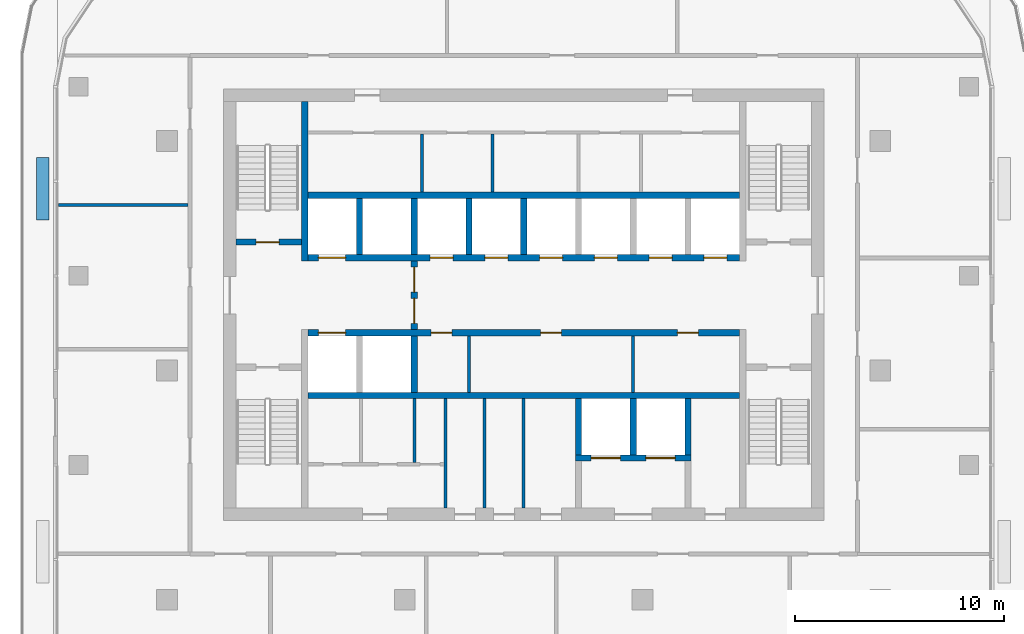
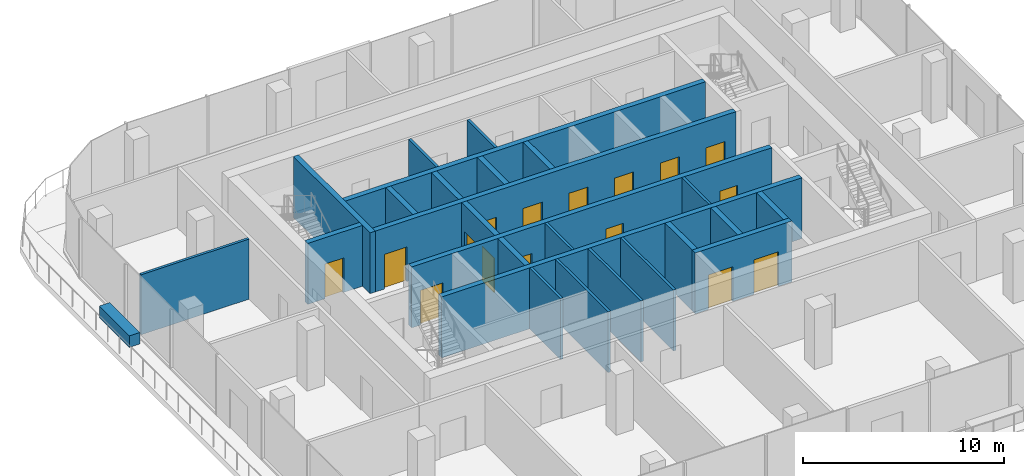
# One storey, part 7 of 12: 26 walls, 16 doors, 16 openings.
"""IFC4 building model written with IfcOpenShell, lengths in metres."""

from ifc_helpers import new_model, si_unit, direction, frame, frame_2d, origin, place, context, subcontext, project, spatial, rectangle, extrude, material, layer, layer_set, type_object, element, fill, save


model = new_model("IFC4")

# Units and contexts
model_context = context("Model", 3, precision=1e-05, world=origin(), true_north=direction((0.0, 1.0)))
body_context = subcontext(model_context, "Body", "Model", "MODEL_VIEW")
ifc_project = project(units=[si_unit("LENGTHUNIT", "METRE"), si_unit("AREAUNIT", "SQUARE_METRE"), si_unit("VOLUMEUNIT", "CUBIC_METRE"), si_unit("PLANEANGLEUNIT", "RADIAN"), si_unit("MASSUNIT", "GRAM", prefix="KILO")], contexts=[model_context])

# Site, building, storey
site_placement = place(None, origin())
site = spatial("IfcSite", under=ifc_project, at=site_placement, CompositionType="ELEMENT")
building_placement = place(site_placement, origin())
building = spatial("IfcBuilding", under=site, at=building_placement, Name="Mopane Tessera Tower", CompositionType="ELEMENT")
storey_placement = place(building_placement, frame((0.0, 0.0, 349.39990234375)))
storey = spatial("IfcBuildingStorey", under=building, at=storey_placement, Name="L76", CompositionType="ELEMENT", Elevation=349.39990234375)

# Walls
ifc_material_1 = material(Name="Fire-rated gypsum board partition")
ifc_layer_1 = layer(ifc_material_1, 0.14990234375)
ifc_layer_set_1 = layer_set([ifc_layer_1], Name="Fire-rated gypsum board partition")
wall_type_1 = type_object("IfcWallType", Name="Core room partition 150 mm", PredefinedType="PARTITIONING", material=ifc_layer_set_1)
wall_1_placement = place(storey_placement, frame((-5.235107421875, -4.425048828125, 0.0), z_axis=(0.0, 0.0, 1.0), x_axis=(0.0, 1.0, 0.0)))
element("IfcWall", 1, at=wall_1_placement, inside=storey, type_object=wall_type_1, Name="L76 WC partition", PredefinedType="PARTITIONING", context=body_context, shape_type="SweptSolid", body=[
    extrude(rectangle(XDim=3.074951171875, YDim=0.14990234375, at=frame_2d((1.53759765625, 0.0))), origin(), (0.0, 0.0, 1.0), 3.7001953125),
])
for number, where, z_axis, x_axis, name in (
    (2, (-3.75, -6.60009765625, 0.0), (0.0, 0.0, 1.0), (0.0, 1.0, 0.0), "L76 Room partition"),
    (3, (-1.875, -6.60009765625, 0.0), (0.0, 0.0, 1.0), (0.0, 1.0, 0.0), "L76 Room partition"),
    (4, (0.0, -6.60009765625, 0.0), (0.0, 0.0, 1.0), (0.0, 1.0, 0.0), "L76 Room partition"),
):
    element("IfcWall", number, at=place(storey_placement, frame(where, z_axis=z_axis, x_axis=x_axis)), inside=storey, type_object=wall_type_1, Name=name, PredefinedType="PARTITIONING", context=body_context, shape_type="SweptSolid", body=[
        extrude(rectangle(XDim=5.25, YDim=0.14990234375, at=frame_2d((2.625, 0.0))), origin(), (0.0, 0.0, 1.0), 3.7001953125),
    ])
for number, where, z_axis, x_axis, name in (
    (5, (-4.875, 8.550048828125, 0.0), (0.0, 0.0, 1.0), (0.0, 1.0, 0.0), "L76 Room partition"),
    (6, (-1.5, 8.550048828125, 0.0), (0.0, 0.0, 1.0), (0.0, 1.0, 0.0), "L76 Room partition"),
):
    element("IfcWall", number, at=place(storey_placement, frame(where, z_axis=z_axis, x_axis=x_axis)), inside=storey, type_object=wall_type_1, Name=name, PredefinedType="PARTITIONING", context=body_context, shape_type="SweptSolid", body=[
        extrude(rectangle(XDim=2.77490234375, YDim=0.14990234375, at=frame_2d((1.387451171875, 0.0))), origin(), (0.0, 0.0, 1.0), 3.7001953125),
    ])
for number, where, z_axis, x_axis, name in (
    (7, (-2.625, -1.050048828125, 0.0), (0.0, 0.0, 1.0), (0.0, 1.0, 0.0), "L76 Room partition"),
    (8, (5.25, -1.050048828125, 0.0), (0.0, 0.0, 1.0), (0.0, 1.0, 0.0), "L76 Room partition"),
):
    element("IfcWall", number, at=place(storey_placement, frame(where, z_axis=z_axis, x_axis=x_axis)), inside=storey, type_object=wall_type_1, Name=name, PredefinedType="PARTITIONING", context=body_context, shape_type="SweptSolid", body=[
        extrude(rectangle(XDim=2.699951171875, YDim=0.14990234375, at=frame_2d((1.35009765625, 0.0))), origin(), (0.0, 0.0, 1.0), 3.7001953125),
    ])
ifc_material_2 = material(Name="Concrete C60/75", Category="concrete")
ifc_layer_2 = layer(ifc_material_2, 0.300048828125)
ifc_layer_set_2 = layer_set([ifc_layer_2], Name="Concrete C60/75")
wall_type_2 = type_object("IfcWallType", Name="Core spine wall 300 mm", PredefinedType="SHEAR", material=ifc_layer_set_2)
wall_2_placement = place(storey_placement, frame((-10.5, 5.25, 0.0), z_axis=(0.0, 0.0, 1.0), x_axis=(0.0, 1.0, 0.0)))
element("IfcWall", 9, at=wall_2_placement, inside=storey, type_object=wall_type_2, Name="L76 Core spine wall", PredefinedType="SHEAR", context=body_context, shape_type="SweptSolid", body=[
    extrude(rectangle(XDim=7.64990234375, YDim=0.300048828125, at=frame_2d((3.824951171875, 0.0))), origin(), (0.0, 0.0, 1.0), 3.7001953125),
])
ifc_material_3 = material(Name="Gypsum board on steel studs, mineral wool infill", Category="steel")
ifc_layer_3 = layer(ifc_material_3, 0.14990234375)
ifc_layer_set_3 = layer_set([ifc_layer_3], Name="Gypsum board on steel studs, mineral wool infill")
wall_type_3 = type_object("IfcWallType", Name="Gypsum board partition 150, rated EI 60", PredefinedType="PARTITIONING", material=ifc_layer_set_3)
wall_3_placement = place(storey_placement, frame((-22.300048828125, 7.929931640625, 0.0), z_axis=(0.0, 0.0, 1.0), x_axis=(1.0, 0.0, 0.0)))
element("IfcWall", 10, at=wall_3_placement, inside=storey, type_object=wall_type_3, Name="Partition L76:006", PredefinedType="PARTITIONING", context=body_context, shape_type="SweptSolid", body=[
    extrude(rectangle(XDim=6.199951171875, YDim=0.14990234375, at=frame_2d((3.10009765625, 0.0))), origin(), (0.0, 0.0, 1.0), 3.650146484375),
])

# Wall, opening, door
ifc_material_4 = material(Name="Concrete C50/60", Category="concrete")
ifc_layer_4 = layer(ifc_material_4, 0.300048828125)
ifc_layer_set_4 = layer_set([ifc_layer_4], Name="Concrete C50/60")
wall_type_4 = type_object("IfcWallType", Name="Lift and stair shaft wall 300 mm", PredefinedType="SOLIDWALL", material=ifc_layer_set_4)
wall_4_placement = place(storey_placement, frame((-13.800048828125, 6.14990234375, 0.0), z_axis=(0.0, 0.0, 1.0), x_axis=(1.0, 0.0, 0.0)))
wall_4 = element("IfcWall", 11, at=wall_4_placement, inside=storey, type_object=wall_type_4, Name="L76 Stair enclosure wall", PredefinedType="SOLIDWALL", context=body_context, shape_type="SweptSolid", body=[
    extrude(rectangle(XDim=3.150146484375, YDim=0.300048828125, at=frame_2d((1.5751953125, 0.0))), origin(), (0.0, 0.0, 1.0), 3.7001953125),
])
opening_1_placement = place(wall_4_placement, frame((0.97509765625, 0.0, 0.0)))
opening_1 = element("IfcOpeningElement", 12, at=opening_1_placement, cuts=wall_4, Name="Opening SD1", PredefinedType="OPENING", context=body_context, shape_type="SweptSolid", body=[
    extrude(rectangle(XDim=1.10009765625, YDim=2.10009765625, at=frame_2d((0.550048828125, 1.050048828125))), frame((0.0, 0.162109375, 0.0), z_axis=(0.0, -1.0, 0.0), x_axis=(1.0, 0.0, 0.0)), (0.0, 0.0, 1.0), 0.323974609375),
])
ifc_material_5 = material(Name="Steel fire door", Category="steel")
door_type_1 = type_object("IfcDoorType", Name="Stair fire door 1100 x 2100", OperationType="SINGLE_SWING_LEFT", PredefinedType="DOOR", material=ifc_material_5)
door_1_placement = place(opening_1_placement, origin())
door_1 = element("IfcDoor", 13, at=door_1_placement, inside=storey, type_object=door_type_1, Name="L76 Stair door ST2", OperationType="SINGLE_SWING_LEFT", OverallHeight=2.10009765625, OverallWidth=1.10009765625, PredefinedType="DOOR", context=body_context, shape_type="SweptSolid", body=[
    extrude(rectangle(XDim=1.10009765625, YDim=2.10009765625, at=frame_2d((0.550048828125, 1.050048828125))), frame((0.0, 0.02490234375, 0.0), z_axis=(0.0, -1.0, 0.0), x_axis=(1.0, 0.0, 0.0)), (0.0, 0.0, 1.0), 0.050048828125),
])
fill(opening_1, door_1)

# Wall
wall_5_placement = place(storey_placement, frame((-10.35009765625, -1.199951171875, 0.0), z_axis=(0.0, 0.0, 1.0), x_axis=(1.0, 0.0, 0.0)))
element("IfcWall", 14, at=wall_5_placement, inside=storey, type_object=wall_type_4, Name="L76 Lift shaft rear wall", PredefinedType="SOLIDWALL", context=body_context, shape_type="SweptSolid", body=[
    extrude(rectangle(XDim=20.7001953125, YDim=0.300048828125, at=frame_2d((10.35009765625, 0.0))), origin(), (0.0, 0.0, 1.0), 3.7001953125),
])

# Wall, openings, doors
wall_6_placement = place(storey_placement, frame((-10.35009765625, 1.800048828125, 0.0), z_axis=(0.0, 0.0, 1.0), x_axis=(1.0, 0.0, 0.0)))
wall_6 = element("IfcWall", 15, at=wall_6_placement, inside=storey, type_object=wall_type_4, Name="L76 Lift shaft front wall", PredefinedType="SOLIDWALL", context=body_context, shape_type="SweptSolid", body=[
    extrude(rectangle(XDim=20.7001953125, YDim=0.300048828125, at=frame_2d((10.35009765625, 0.0))), origin(), (0.0, 0.0, 1.0), 3.7001953125),
])
opening_2_placement = place(wall_6_placement, frame((0.512451171875, 0.0, 0.0)))
opening_2 = element("IfcOpeningElement", 16, at=opening_2_placement, cuts=wall_6, Name="Opening LD2", PredefinedType="OPENING", context=body_context, shape_type="SweptSolid", body=[
    extrude(rectangle(XDim=1.300048828125, YDim=2.10009765625, at=frame_2d((0.64990234375, 1.050048828125))), frame((0.0, 0.162109375, 0.0), z_axis=(0.0, -1.0, 0.0), x_axis=(1.0, 0.0, 0.0)), (0.0, 0.0, 1.0), 0.323974609375),
])
opening_3_placement = place(wall_6_placement, frame((5.91259765625, 0.0, 0.0)))
opening_3 = element("IfcOpeningElement", 17, at=opening_3_placement, cuts=wall_6, Name="Opening RD1", PredefinedType="OPENING", context=body_context, shape_type="SweptSolid", body=[
    extrude(rectangle(XDim=1.0, YDim=2.10009765625, at=frame_2d((0.5, 1.050048828125))), frame((0.0, 0.162109375, 0.0), z_axis=(0.0, -1.0, 0.0), x_axis=(1.0, 0.0, 0.0)), (0.0, 0.0, 1.0), 0.323974609375),
])
opening_4_placement = place(wall_6_placement, frame((11.16259765625, 0.0, 0.0)))
opening_4 = element("IfcOpeningElement", 18, at=opening_4_placement, cuts=wall_6, Name="Opening RD1", PredefinedType="OPENING", context=body_context, shape_type="SweptSolid", body=[
    extrude(rectangle(XDim=1.0, YDim=2.10009765625, at=frame_2d((0.5, 1.050048828125))), frame((0.0, 0.162109375, 0.0), z_axis=(0.0, -1.0, 0.0), x_axis=(1.0, 0.0, 0.0)), (0.0, 0.0, 1.0), 0.323974609375),
])
opening_5_placement = place(wall_6_placement, frame((17.72509765625, 0.0, 0.0)))
opening_5 = element("IfcOpeningElement", 19, at=opening_5_placement, cuts=wall_6, Name="Opening RD1", PredefinedType="OPENING", context=body_context, shape_type="SweptSolid", body=[
    extrude(rectangle(XDim=1.0, YDim=2.10009765625, at=frame_2d((0.5, 1.050048828125))), frame((0.0, 0.162109375, 0.0), z_axis=(0.0, -1.0, 0.0), x_axis=(1.0, 0.0, 0.0)), (0.0, 0.0, 1.0), 0.323974609375),
])
ifc_material_6 = material(Name="Timber door", Category="wood")
door_type_2 = type_object("IfcDoorType", Name="Core room door 1000 x 2100", OperationType="SINGLE_SWING_LEFT", PredefinedType="DOOR", material=ifc_material_6)
door_2_placement = place(opening_3_placement, origin())
door_2 = element("IfcDoor", 20, at=door_2_placement, inside=storey, type_object=door_type_2, Name="L76 Room door", OperationType="SINGLE_SWING_LEFT", OverallHeight=2.10009765625, OverallWidth=1.0, PredefinedType="DOOR", context=body_context, shape_type="SweptSolid", body=[
    extrude(rectangle(XDim=1.0, YDim=2.10009765625, at=frame_2d((0.5, 1.050048828125))), frame((0.0, 0.02490234375, 0.0), z_axis=(0.0, -1.0, 0.0), x_axis=(1.0, 0.0, 0.0)), (0.0, 0.0, 1.0), 0.050048828125),
])
fill(opening_3, door_2)
door_3_placement = place(opening_4_placement, origin())
door_3 = element("IfcDoor", 21, at=door_3_placement, inside=storey, type_object=door_type_2, Name="L76 Room door", OperationType="SINGLE_SWING_LEFT", OverallHeight=2.10009765625, OverallWidth=1.0, PredefinedType="DOOR", context=body_context, shape_type="SweptSolid", body=[
    extrude(rectangle(XDim=1.0, YDim=2.10009765625, at=frame_2d((0.5, 1.050048828125))), frame((0.0, 0.02490234375, 0.0), z_axis=(0.0, -1.0, 0.0), x_axis=(1.0, 0.0, 0.0)), (0.0, 0.0, 1.0), 0.050048828125),
])
fill(opening_4, door_3)
door_4_placement = place(opening_5_placement, origin())
door_4 = element("IfcDoor", 22, at=door_4_placement, inside=storey, type_object=door_type_2, Name="L76 Room door", OperationType="SINGLE_SWING_LEFT", OverallHeight=2.10009765625, OverallWidth=1.0, PredefinedType="DOOR", context=body_context, shape_type="SweptSolid", body=[
    extrude(rectangle(XDim=1.0, YDim=2.10009765625, at=frame_2d((0.5, 1.050048828125))), frame((0.0, 0.02490234375, 0.0), z_axis=(0.0, -1.0, 0.0), x_axis=(1.0, 0.0, 0.0)), (0.0, 0.0, 1.0), 0.050048828125),
])
fill(opening_5, door_4)
ifc_material_7 = material(Name="Stainless steel sliding door", Category="steel")
door_type_3 = type_object("IfcDoorType", Name="Fire-fighting lift landing door 1300 x 2100", OperationType="DOUBLE_DOOR_SLIDING", PredefinedType="DOOR", material=ifc_material_7)
door_5_placement = place(opening_2_placement, origin())
door_5 = element("IfcDoor", 23, at=door_5_placement, inside=storey, type_object=door_type_3, Name="L76 Lift landing door FF1", OperationType="DOUBLE_DOOR_SLIDING", OverallHeight=2.10009765625, OverallWidth=1.300048828125, PredefinedType="DOOR", context=body_context, shape_type="SweptSolid", body=[
    extrude(rectangle(XDim=1.300048828125, YDim=2.10009765625, at=frame_2d((0.64990234375, 1.050048828125))), frame((0.0, 0.02490234375, 0.0), z_axis=(0.0, -1.0, 0.0), x_axis=(1.0, 0.0, 0.0)), (0.0, 0.0, 1.0), 0.050048828125),
])
fill(opening_2, door_5)

wall_7_placement = place(storey_placement, frame((-10.35009765625, 5.39990234375, 0.0), z_axis=(0.0, 0.0, 1.0), x_axis=(1.0, 0.0, 0.0)))
wall_7 = element("IfcWall", 24, at=wall_7_placement, inside=storey, type_object=wall_type_4, Name="L76 Lift shaft front wall", PredefinedType="SOLIDWALL", context=body_context, shape_type="SweptSolid", body=[
    extrude(rectangle(XDim=20.7001953125, YDim=0.300048828125, at=frame_2d((10.35009765625, 0.0))), origin(), (0.0, 0.0, 1.0), 3.7001953125),
])
opening_6_placement = place(wall_7_placement, frame((0.512451171875, 0.0, 0.0)))
opening_6 = element("IfcOpeningElement", 25, at=opening_6_placement, cuts=wall_7, Name="Opening LD2", PredefinedType="OPENING", context=body_context, shape_type="SweptSolid", body=[
    extrude(rectangle(XDim=1.300048828125, YDim=2.10009765625, at=frame_2d((0.64990234375, 1.050048828125))), frame((0.0, 0.162109375, 0.0), z_axis=(0.0, -1.0, 0.0), x_axis=(1.0, 0.0, 0.0)), (0.0, 0.0, 1.0), 0.323974609375),
])
opening_7_placement = place(wall_7_placement, frame((5.862548828125, 0.0, 0.0)))
opening_7 = element("IfcOpeningElement", 26, at=opening_7_placement, cuts=wall_7, Name="Opening LD", PredefinedType="OPENING", context=body_context, shape_type="SweptSolid", body=[
    extrude(rectangle(XDim=1.10009765625, YDim=2.10009765625, at=frame_2d((0.550048828125, 1.050048828125))), frame((0.0, 0.162109375, 0.0), z_axis=(0.0, -1.0, 0.0), x_axis=(1.0, 0.0, 0.0)), (0.0, 0.0, 1.0), 0.323974609375),
])
opening_8_placement = place(wall_7_placement, frame((8.487548828125, 0.0, 0.0)))
opening_8 = element("IfcOpeningElement", 27, at=opening_8_placement, cuts=wall_7, Name="Opening LD", PredefinedType="OPENING", context=body_context, shape_type="SweptSolid", body=[
    extrude(rectangle(XDim=1.10009765625, YDim=2.10009765625, at=frame_2d((0.550048828125, 1.050048828125))), frame((0.0, 0.162109375, 0.0), z_axis=(0.0, -1.0, 0.0), x_axis=(1.0, 0.0, 0.0)), (0.0, 0.0, 1.0), 0.323974609375),
])
opening_9_placement = place(wall_7_placement, frame((11.112548828125, 0.0, 0.0)))
opening_9 = element("IfcOpeningElement", 28, at=opening_9_placement, cuts=wall_7, Name="Opening LD", PredefinedType="OPENING", context=body_context, shape_type="SweptSolid", body=[
    extrude(rectangle(XDim=1.10009765625, YDim=2.10009765625, at=frame_2d((0.550048828125, 1.050048828125))), frame((0.0, 0.162109375, 0.0), z_axis=(0.0, -1.0, 0.0), x_axis=(1.0, 0.0, 0.0)), (0.0, 0.0, 1.0), 0.323974609375),
])
opening_10_placement = place(wall_7_placement, frame((13.737548828125, 0.0, 0.0)))
opening_10 = element("IfcOpeningElement", 29, at=opening_10_placement, cuts=wall_7, Name="Opening LD", PredefinedType="OPENING", context=body_context, shape_type="SweptSolid", body=[
    extrude(rectangle(XDim=1.10009765625, YDim=2.10009765625, at=frame_2d((0.550048828125, 1.050048828125))), frame((0.0, 0.162109375, 0.0), z_axis=(0.0, -1.0, 0.0), x_axis=(1.0, 0.0, 0.0)), (0.0, 0.0, 1.0), 0.323974609375),
])
opening_11_placement = place(wall_7_placement, frame((16.362548828125, 0.0, 0.0)))
opening_11 = element("IfcOpeningElement", 30, at=opening_11_placement, cuts=wall_7, Name="Opening LD", PredefinedType="OPENING", context=body_context, shape_type="SweptSolid", body=[
    extrude(rectangle(XDim=1.10009765625, YDim=2.10009765625, at=frame_2d((0.550048828125, 1.050048828125))), frame((0.0, 0.162109375, 0.0), z_axis=(0.0, -1.0, 0.0), x_axis=(1.0, 0.0, 0.0)), (0.0, 0.0, 1.0), 0.323974609375),
])
opening_12_placement = place(wall_7_placement, frame((18.987548828125, 0.0, 0.0)))
opening_12 = element("IfcOpeningElement", 31, at=opening_12_placement, cuts=wall_7, Name="Opening LD", PredefinedType="OPENING", context=body_context, shape_type="SweptSolid", body=[
    extrude(rectangle(XDim=1.10009765625, YDim=2.10009765625, at=frame_2d((0.550048828125, 1.050048828125))), frame((0.0, 0.162109375, 0.0), z_axis=(0.0, -1.0, 0.0), x_axis=(1.0, 0.0, 0.0)), (0.0, 0.0, 1.0), 0.323974609375),
])
door_6_placement = place(opening_6_placement, origin())
door_6 = element("IfcDoor", 32, at=door_6_placement, inside=storey, type_object=door_type_3, Name="L76 Lift landing door FF2", OperationType="DOUBLE_DOOR_SLIDING", OverallHeight=2.10009765625, OverallWidth=1.300048828125, PredefinedType="DOOR", context=body_context, shape_type="SweptSolid", body=[
    extrude(rectangle(XDim=1.300048828125, YDim=2.10009765625, at=frame_2d((0.64990234375, 1.050048828125))), frame((0.0, 0.02490234375, 0.0), z_axis=(0.0, -1.0, 0.0), x_axis=(1.0, 0.0, 0.0)), (0.0, 0.0, 1.0), 0.050048828125),
])
fill(opening_6, door_6)
ifc_material_8 = material(Name="Stainless steel sliding door", Category="steel")
door_type_4 = type_object("IfcDoorType", Name="Lift landing door 1100 x 2100", OperationType="DOUBLE_DOOR_SLIDING", PredefinedType="DOOR", material=ifc_material_8)
door_7_placement = place(opening_7_placement, origin())
door_7 = element("IfcDoor", 33, at=door_7_placement, inside=storey, type_object=door_type_4, Name="L76 Lift landing door HR1", OperationType="DOUBLE_DOOR_SLIDING", OverallHeight=2.10009765625, OverallWidth=1.10009765625, PredefinedType="DOOR", context=body_context, shape_type="SweptSolid", body=[
    extrude(rectangle(XDim=1.10009765625, YDim=2.10009765625, at=frame_2d((0.550048828125, 1.050048828125))), frame((0.0, 0.02490234375, 0.0), z_axis=(0.0, -1.0, 0.0), x_axis=(1.0, 0.0, 0.0)), (0.0, 0.0, 1.0), 0.050048828125),
])
fill(opening_7, door_7)
door_8_placement = place(opening_8_placement, origin())
door_8 = element("IfcDoor", 34, at=door_8_placement, inside=storey, type_object=door_type_4, Name="L76 Lift landing door HR2", OperationType="DOUBLE_DOOR_SLIDING", OverallHeight=2.10009765625, OverallWidth=1.10009765625, PredefinedType="DOOR", context=body_context, shape_type="SweptSolid", body=[
    extrude(rectangle(XDim=1.10009765625, YDim=2.10009765625, at=frame_2d((0.550048828125, 1.050048828125))), frame((0.0, 0.02490234375, 0.0), z_axis=(0.0, -1.0, 0.0), x_axis=(1.0, 0.0, 0.0)), (0.0, 0.0, 1.0), 0.050048828125),
])
fill(opening_8, door_8)
door_9_placement = place(opening_9_placement, origin())
door_9 = element("IfcDoor", 35, at=door_9_placement, inside=storey, type_object=door_type_4, Name="L76 Lift landing door HR3", OperationType="DOUBLE_DOOR_SLIDING", OverallHeight=2.10009765625, OverallWidth=1.10009765625, PredefinedType="DOOR", context=body_context, shape_type="SweptSolid", body=[
    extrude(rectangle(XDim=1.10009765625, YDim=2.10009765625, at=frame_2d((0.550048828125, 1.050048828125))), frame((0.0, 0.02490234375, 0.0), z_axis=(0.0, -1.0, 0.0), x_axis=(1.0, 0.0, 0.0)), (0.0, 0.0, 1.0), 0.050048828125),
])
fill(opening_9, door_9)
door_10_placement = place(opening_10_placement, origin())
door_10 = element("IfcDoor", 36, at=door_10_placement, inside=storey, type_object=door_type_4, Name="L76 Lift landing door HR4", OperationType="DOUBLE_DOOR_SLIDING", OverallHeight=2.10009765625, OverallWidth=1.10009765625, PredefinedType="DOOR", context=body_context, shape_type="SweptSolid", body=[
    extrude(rectangle(XDim=1.10009765625, YDim=2.10009765625, at=frame_2d((0.550048828125, 1.050048828125))), frame((0.0, 0.02490234375, 0.0), z_axis=(0.0, -1.0, 0.0), x_axis=(1.0, 0.0, 0.0)), (0.0, 0.0, 1.0), 0.050048828125),
])
fill(opening_10, door_10)
door_11_placement = place(opening_11_placement, origin())
door_11 = element("IfcDoor", 37, at=door_11_placement, inside=storey, type_object=door_type_4, Name="L76 Lift landing door HR5", OperationType="DOUBLE_DOOR_SLIDING", OverallHeight=2.10009765625, OverallWidth=1.10009765625, PredefinedType="DOOR", context=body_context, shape_type="SweptSolid", body=[
    extrude(rectangle(XDim=1.10009765625, YDim=2.10009765625, at=frame_2d((0.550048828125, 1.050048828125))), frame((0.0, 0.02490234375, 0.0), z_axis=(0.0, -1.0, 0.0), x_axis=(1.0, 0.0, 0.0)), (0.0, 0.0, 1.0), 0.050048828125),
])
fill(opening_11, door_11)
door_12_placement = place(opening_12_placement, origin())
door_12 = element("IfcDoor", 38, at=door_12_placement, inside=storey, type_object=door_type_4, Name="L76 Lift landing door HR6", OperationType="DOUBLE_DOOR_SLIDING", OverallHeight=2.10009765625, OverallWidth=1.10009765625, PredefinedType="DOOR", context=body_context, shape_type="SweptSolid", body=[
    extrude(rectangle(XDim=1.10009765625, YDim=2.10009765625, at=frame_2d((0.550048828125, 1.050048828125))), frame((0.0, 0.02490234375, 0.0), z_axis=(0.0, -1.0, 0.0), x_axis=(1.0, 0.0, 0.0)), (0.0, 0.0, 1.0), 0.050048828125),
])
fill(opening_12, door_12)

# Walls
wall_8_placement = place(storey_placement, frame((-10.35009765625, 8.39990234375, 0.0), z_axis=(0.0, 0.0, 1.0), x_axis=(1.0, 0.0, 0.0)))
element("IfcWall", 39, at=wall_8_placement, inside=storey, type_object=wall_type_4, Name="L76 Lift shaft rear wall", PredefinedType="SOLIDWALL", context=body_context, shape_type="SweptSolid", body=[
    extrude(rectangle(XDim=20.7001953125, YDim=0.300048828125, at=frame_2d((10.35009765625, 0.0))), origin(), (0.0, 0.0, 1.0), 3.7001953125),
])
for number, where, z_axis, x_axis, name in (
    (40, (-5.25, -1.050048828125, 0.0), (0.0, 0.0, 1.0), (0.0, 1.0, 0.0), "L76 Lift shaft wall"),
    (41, (-7.875, 5.550048828125, 0.0), (0.0, 0.0, 1.0), (0.0, 1.0, 0.0), "L76 Lift shaft wall"),
    (42, (-5.25, 5.550048828125, 0.0), (0.0, 0.0, 1.0), (0.0, 1.0, 0.0), "L76 Lift shaft wall"),
    (43, (-2.625, 5.550048828125, 0.0), (0.0, 0.0, 1.0), (0.0, 1.0, 0.0), "L76 Lift shaft wall"),
    (44, (0.0, 5.550048828125, 0.0), (0.0, 0.0, 1.0), (0.0, 1.0, 0.0), "L76 Lift shaft wall"),
):
    element("IfcWall", number, at=place(storey_placement, frame(where, z_axis=z_axis, x_axis=x_axis)), inside=storey, type_object=wall_type_4, Name=name, PredefinedType="SOLIDWALL", context=body_context, shape_type="SweptSolid", body=[
        extrude(rectangle(XDim=2.699951171875, YDim=0.300048828125, at=frame_2d((1.35009765625, 0.0))), origin(), (0.0, 0.0, 1.0), 3.7001953125),
    ])

# Wall, openings, doors
wall_9_placement = place(storey_placement, frame((2.47509765625, -4.199951171875, 0.0), z_axis=(0.0, 0.0, 1.0), x_axis=(1.0, 0.0, 0.0)))
wall_9 = element("IfcWall", 45, at=wall_9_placement, inside=storey, type_object=wall_type_4, Name="L76 Lift shaft front wall", PredefinedType="SOLIDWALL", context=body_context, shape_type="SweptSolid", body=[
    extrude(rectangle(XDim=5.5498046875, YDim=0.300048828125, at=frame_2d((2.77490234375, 0.0))), origin(), (0.0, 0.0, 1.0), 3.7001953125),
])
opening_13_placement = place(wall_9_placement, frame((0.762451171875, 0.0, 0.0)))
opening_13 = element("IfcOpeningElement", 46, at=opening_13_placement, cuts=wall_9, Name="Opening LD3", PredefinedType="OPENING", context=body_context, shape_type="SweptSolid", body=[
    extrude(rectangle(XDim=1.39990234375, YDim=2.10009765625, at=frame_2d((0.699951171875, 1.050048828125))), frame((0.0, 0.162109375, 0.0), z_axis=(0.0, -1.0, 0.0), x_axis=(1.0, 0.0, 0.0)), (0.0, 0.0, 1.0), 0.323974609375),
])
opening_14_placement = place(wall_9_placement, frame((3.387451171875, 0.0, 0.0)))
opening_14 = element("IfcOpeningElement", 47, at=opening_14_placement, cuts=wall_9, Name="Opening LD3", PredefinedType="OPENING", context=body_context, shape_type="SweptSolid", body=[
    extrude(rectangle(XDim=1.39990234375, YDim=2.10009765625, at=frame_2d((0.699951171875, 1.050048828125))), frame((0.0, 0.162109375, 0.0), z_axis=(0.0, -1.0, 0.0), x_axis=(1.0, 0.0, 0.0)), (0.0, 0.0, 1.0), 0.323974609375),
])
ifc_material_9 = material(Name="Stainless steel sliding door", Category="steel")
door_type_5 = type_object("IfcDoorType", Name="Service lift landing door 1400 x 2100", OperationType="DOUBLE_DOOR_SLIDING", PredefinedType="DOOR", material=ifc_material_9)
door_13_placement = place(opening_13_placement, origin())
door_13 = element("IfcDoor", 48, at=door_13_placement, inside=storey, type_object=door_type_5, Name="L76 Lift landing door SV1", OperationType="DOUBLE_DOOR_SLIDING", OverallHeight=2.10009765625, OverallWidth=1.39990234375, PredefinedType="DOOR", context=body_context, shape_type="SweptSolid", body=[
    extrude(rectangle(XDim=1.39990234375, YDim=2.10009765625, at=frame_2d((0.699951171875, 1.050048828125))), frame((0.0, 0.02490234375, 0.0), z_axis=(0.0, -1.0, 0.0), x_axis=(1.0, 0.0, 0.0)), (0.0, 0.0, 1.0), 0.050048828125),
])
fill(opening_13, door_13)
door_14_placement = place(opening_14_placement, origin())
door_14 = element("IfcDoor", 49, at=door_14_placement, inside=storey, type_object=door_type_5, Name="L76 Lift landing door SV2", OperationType="DOUBLE_DOOR_SLIDING", OverallHeight=2.10009765625, OverallWidth=1.39990234375, PredefinedType="DOOR", context=body_context, shape_type="SweptSolid", body=[
    extrude(rectangle(XDim=1.39990234375, YDim=2.10009765625, at=frame_2d((0.699951171875, 1.050048828125))), frame((0.0, 0.02490234375, 0.0), z_axis=(0.0, -1.0, 0.0), x_axis=(1.0, 0.0, 0.0)), (0.0, 0.0, 1.0), 0.050048828125),
])
fill(opening_14, door_14)

# Walls
for number, where, z_axis, x_axis, name in (
    (50, (2.625, -4.050048828125, 0.0), (0.0, 0.0, 1.0), (0.0, 1.0, 0.0), "L76 Lift shaft wall"),
    (51, (5.25, -4.050048828125, 0.0), (0.0, 0.0, 1.0), (0.0, 1.0, 0.0), "L76 Lift shaft wall"),
    (52, (7.875, -4.050048828125, 0.0), (0.0, 0.0, 1.0), (0.0, 1.0, 0.0), "L76 Lift shaft wall"),
):
    element("IfcWall", number, at=place(storey_placement, frame(where, z_axis=z_axis, x_axis=x_axis)), inside=storey, type_object=wall_type_4, Name=name, PredefinedType="SOLIDWALL", context=body_context, shape_type="SweptSolid", body=[
        extrude(rectangle(XDim=2.699951171875, YDim=0.300048828125, at=frame_2d((1.35009765625, 0.0))), origin(), (0.0, 0.0, 1.0), 3.7001953125),
    ])

# Wall, openings, doors
ifc_material_10 = material(Name="Concrete C50/60", Category="concrete")
ifc_layer_5 = layer(ifc_material_10, 0.300048828125)
ifc_layer_set_5 = layer_set([ifc_layer_5], Name="Concrete C50/60")
wall_type_5 = type_object("IfcWallType", Name="Lobby and refuge room wall 300 mm", PredefinedType="SOLIDWALL", material=ifc_layer_set_5)
wall_10_placement = place(storey_placement, frame((-5.25, 1.949951171875, 0.0), z_axis=(0.0, 0.0, 1.0), x_axis=(0.0, 1.0, 0.0)))
wall_10 = element("IfcWall", 53, at=wall_10_placement, inside=storey, type_object=wall_type_5, Name="L76 Fire-fighting lobby wall", PredefinedType="SOLIDWALL", context=body_context, shape_type="SweptSolid", body=[
    extrude(rectangle(XDim=3.300048828125, YDim=0.300048828125, at=frame_2d((1.64990234375, 0.0))), origin(), (0.0, 0.0, 1.0), 3.7001953125),
])
opening_15_placement = place(wall_10_placement, frame((0.300048828125, 0.0, 0.0)))
opening_15 = element("IfcOpeningElement", 54, at=opening_15_placement, cuts=wall_10, Name="Opening SD3", PredefinedType="OPENING", context=body_context, shape_type="SweptSolid", body=[
    extrude(rectangle(XDim=1.199951171875, YDim=2.10009765625, at=frame_2d((0.60009765625, 1.050048828125))), frame((0.0, 0.162109375, 0.0), z_axis=(0.0, -1.0, 0.0), x_axis=(1.0, 0.0, 0.0)), (0.0, 0.0, 1.0), 0.323974609375),
])
opening_16_placement = place(wall_10_placement, frame((1.800048828125, 0.0, 0.0)))
opening_16 = element("IfcOpeningElement", 55, at=opening_16_placement, cuts=wall_10, Name="Opening SD3", PredefinedType="OPENING", context=body_context, shape_type="SweptSolid", body=[
    extrude(rectangle(XDim=1.199951171875, YDim=2.10009765625, at=frame_2d((0.60009765625, 1.050048828125))), frame((0.0, 0.162109375, 0.0), z_axis=(0.0, -1.0, 0.0), x_axis=(1.0, 0.0, 0.0)), (0.0, 0.0, 1.0), 0.323974609375),
])
ifc_material_11 = material(Name="Steel fire door", Category="steel")
door_type_6 = type_object("IfcDoorType", Name="Lobby fire door 1200 x 2100", OperationType="SINGLE_SWING_LEFT", PredefinedType="DOOR", material=ifc_material_11)
door_15_placement = place(opening_15_placement, origin())
door_15 = element("IfcDoor", 56, at=door_15_placement, inside=storey, type_object=door_type_6, Name="L76 Fire-fighting lobby door", OperationType="SINGLE_SWING_LEFT", OverallHeight=2.10009765625, OverallWidth=1.199951171875, PredefinedType="DOOR", context=body_context, shape_type="SweptSolid", body=[
    extrude(rectangle(XDim=1.199951171875, YDim=2.10009765625, at=frame_2d((0.60009765625, 1.050048828125))), frame((0.0, 0.02490234375, 0.0), z_axis=(0.0, -1.0, 0.0), x_axis=(1.0, 0.0, 0.0)), (0.0, 0.0, 1.0), 0.050048828125),
])
fill(opening_15, door_15)
door_16_placement = place(opening_16_placement, origin())
door_16 = element("IfcDoor", 57, at=door_16_placement, inside=storey, type_object=door_type_6, Name="L76 Fire-fighting lobby door", OperationType="SINGLE_SWING_RIGHT", OverallHeight=2.10009765625, OverallWidth=1.199951171875, PredefinedType="DOOR", context=body_context, shape_type="SweptSolid", body=[
    extrude(rectangle(XDim=1.199951171875, YDim=2.10009765625, at=frame_2d((0.60009765625, 1.050048828125))), frame((0.0, 0.02490234375, 0.0), z_axis=(0.0, -1.0, 0.0), x_axis=(1.0, 0.0, 0.0)), (0.0, 0.0, 1.0), 0.050048828125),
])
fill(opening_16, door_16)

# Wall
ifc_material_12 = material(Name="Reinforced concrete C32/40 with waterproofing", Category="concrete")
ifc_layer_6 = layer(ifc_material_12, 0.60009765625)
ifc_layer_set_6 = layer_set([ifc_layer_6], Name="Reinforced concrete C32/40 with waterproofing")
wall_type_6 = type_object("IfcWallType", Name="Planter trough 3000 x 600", PredefinedType="STANDARD", material=ifc_layer_set_6)
wall_11_placement = place(storey_placement, frame((-23.050048828125, 10.2041015625, 0.0), z_axis=(0.0, 0.0, 1.0), x_axis=(0.0, -1.0, 0.0)))
element("IfcWall", 58, at=wall_11_placement, inside=storey, type_object=wall_type_6, Name="e:sp:L76:W0", PredefinedType="STANDARD", context=body_context, shape_type="SweptSolid", body=[
    extrude(rectangle(XDim=3.0, YDim=0.60009765625, at=frame_2d((1.5, 0.0))), origin(), (0.0, 0.0, 1.0), 0.7001953125),
])

save(model, "model.ifc")
